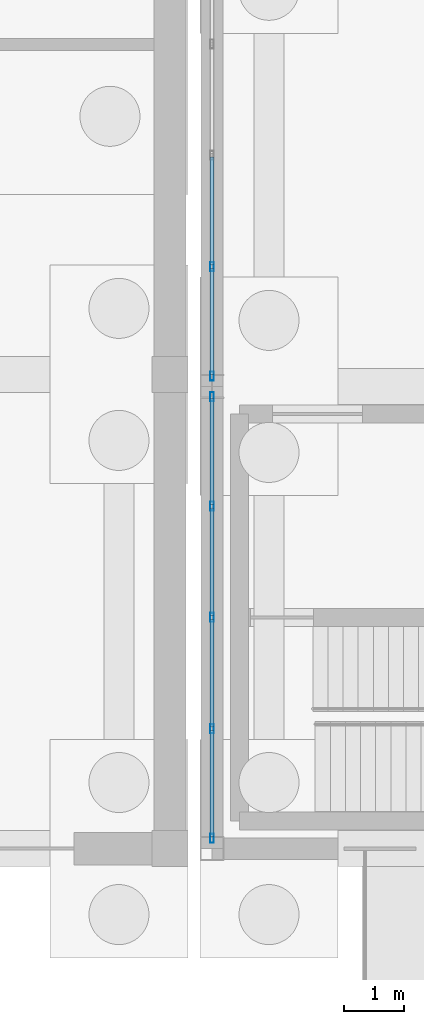
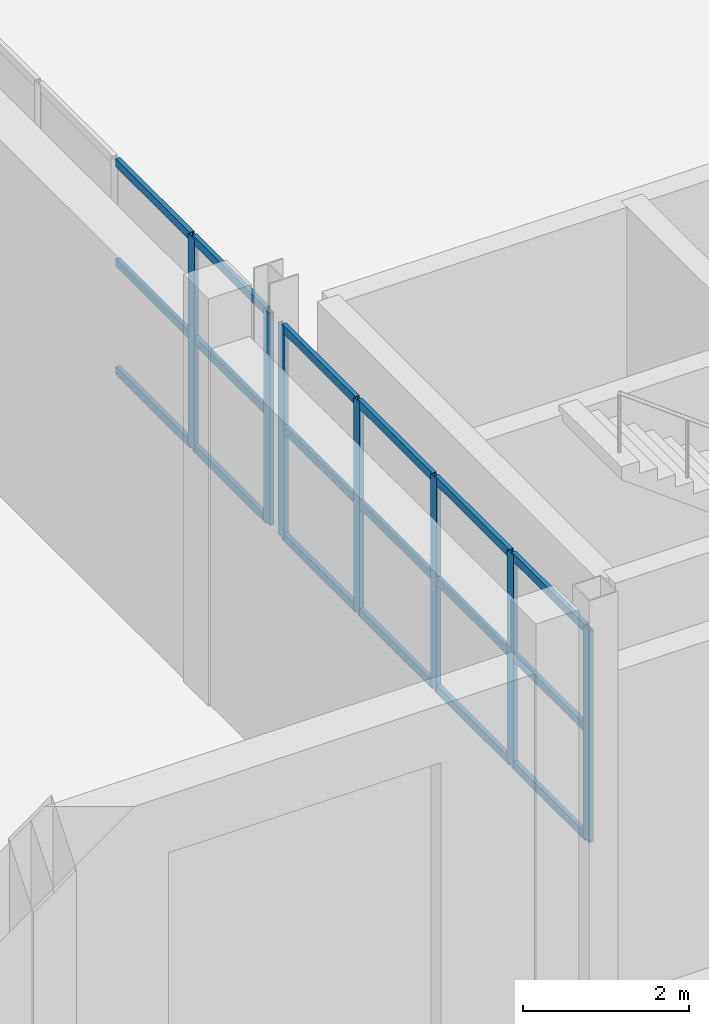
# One storey, part 73 of 139: 25 members, 2 elements without a shape of their own.
"""IFC4 building model written with IfcOpenShell, lengths in metres."""

from ifc_helpers import new_model, si_unit, direction, frame, origin, origin_2d, place, context, subcontext, project, spatial, hollow_rectangle, extrude, material, material_profile, profile_set, type_object, element, aggregate, save


model = new_model("IFC4")

# Units and contexts
model_context = context("Model", 3, precision=1e-05, world=origin(), true_north=direction((0.0, 1.0)))
body_context = subcontext(model_context, "Body", "Model", "MODEL_VIEW")
ifc_project = project(units=[si_unit("LENGTHUNIT", "METRE"), si_unit("AREAUNIT", "SQUARE_METRE"), si_unit("VOLUMEUNIT", "CUBIC_METRE"), si_unit("PLANEANGLEUNIT", "RADIAN"), si_unit("MASSUNIT", "GRAM", prefix="KILO")], contexts=[model_context])

# Site, building, storey
site_placement = place(None, origin())
site = spatial("IfcSite", under=ifc_project, at=site_placement, CompositionType="ELEMENT")
building_placement = place(site_placement, origin())
building = spatial("IfcBuilding", under=site, at=building_placement, Name="Kazenagashi Tramway Depot", CompositionType="ELEMENT")
storey_placement = place(building_placement, origin())
storey = spatial("IfcBuildingStorey", under=building, at=storey_placement, Name="L01", CompositionType="ELEMENT", Elevation=0.0)

# Curtain wall, members
ifc_material_1 = material(Name="Anodised Aluminium and Low-E Glazing", Category="aluminium")
curtain_wall_type = type_object("IfcCurtainWallType", Name="CW-30", PredefinedType="USERDEFINED", material=ifc_material_1)
curtain_wall_1_placement = place(storey_placement, origin())
curtain_wall_1 = element("IfcCurtainWall", 1, at=curtain_wall_1_placement, inside=storey, type_object=curtain_wall_type, Name="Industrial Glazed Screen CW-30 CW-0157", ObjectType="GLAZED SCREEN", PredefinedType="USERDEFINED")
ifc_material_2 = material(Name="Anodised Aluminium", Category="aluminium")
ifc_material_profile_1 = material_profile(ifc_material_2, hollow_rectangle(XDim=0.06, YDim=0.15, WallThickness=0.004, at=origin_2d()), Name="RHS-150x60x4")
ifc_profile_set_1 = profile_set([ifc_material_profile_1], Name="Anodised Aluminium")
member_type_1 = type_object("IfcMemberType", Name="ML-01", PredefinedType="MULLION", material=ifc_profile_set_1)
member_1_placement = place(storey_placement, frame((146.3, 0.17, 2.2), z_axis=(0.0, 0.0, 1.0), x_axis=(-1.0, 0.0, 0.0)))
member_1 = element("IfcMember", 2, at=member_1_placement, type_object=member_type_1, Name="CW-30 mullion 1", PredefinedType="MULLION", context=body_context, shape_type="SweptSolid", body=[
    extrude(hollow_rectangle(XDim=0.06, YDim=0.15, WallThickness=0.004, at=origin_2d()), origin(), (0.0, 0.0, 1.0), 3.12),
])
member_2_placement = place(storey_placement, frame((146.3, 1.995, 2.2), z_axis=(0.0, 0.0, 1.0), x_axis=(-1.0, 0.0, 0.0)))
member_2 = element("IfcMember", 3, at=member_2_placement, type_object=member_type_1, Name="CW-30 mullion 2", PredefinedType="MULLION", context=body_context, shape_type="SweptSolid", body=[
    extrude(hollow_rectangle(XDim=0.06, YDim=0.15, WallThickness=0.004, at=origin_2d()), origin(), (0.0, 0.0, 1.0), 3.12),
])
member_3_placement = place(storey_placement, frame((146.3, 3.85, 2.2), z_axis=(0.0, 0.0, 1.0), x_axis=(-1.0, 0.0, 0.0)))
member_3 = element("IfcMember", 4, at=member_3_placement, type_object=member_type_1, Name="CW-30 mullion 3", PredefinedType="MULLION", context=body_context, shape_type="SweptSolid", body=[
    extrude(hollow_rectangle(XDim=0.06, YDim=0.15, WallThickness=0.004, at=origin_2d()), origin(), (0.0, 0.0, 1.0), 3.12),
])
member_4_placement = place(storey_placement, frame((146.3, 5.705, 2.2), z_axis=(0.0, 0.0, 1.0), x_axis=(-1.0, 0.0, 0.0)))
member_4 = element("IfcMember", 5, at=member_4_placement, type_object=member_type_1, Name="CW-30 mullion 4", PredefinedType="MULLION", context=body_context, shape_type="SweptSolid", body=[
    extrude(hollow_rectangle(XDim=0.06, YDim=0.15, WallThickness=0.004, at=origin_2d()), origin(), (0.0, 0.0, 1.0), 3.12),
])
member_5_placement = place(storey_placement, frame((146.3, 7.53, 2.2), z_axis=(0.0, 0.0, 1.0), x_axis=(-1.0, 0.0, 0.0)))
member_5 = element("IfcMember", 6, at=member_5_placement, type_object=member_type_1, Name="CW-30 mullion 5", PredefinedType="MULLION", context=body_context, shape_type="SweptSolid", body=[
    extrude(hollow_rectangle(XDim=0.06, YDim=0.15, WallThickness=0.004, at=origin_2d()), origin(), (0.0, 0.0, 1.0), 3.12),
])

curtain_wall_2_placement = place(storey_placement, origin())
curtain_wall_2 = element("IfcCurtainWall", 7, at=curtain_wall_2_placement, inside=storey, type_object=curtain_wall_type, Name="Industrial Glazed Screen CW-30 CW-0159", ObjectType="GLAZED SCREEN", PredefinedType="USERDEFINED")
member_6_placement = place(storey_placement, frame((146.3, 7.87, 2.2), z_axis=(0.0, 0.0, 1.0), x_axis=(-1.0, 0.0, 0.0)))
member_6 = element("IfcMember", 8, at=member_6_placement, type_object=member_type_1, Name="CW-30 mullion 1", PredefinedType="MULLION", context=body_context, shape_type="SweptSolid", body=[
    extrude(hollow_rectangle(XDim=0.06, YDim=0.15, WallThickness=0.004, at=origin_2d()), origin(), (0.0, 0.0, 1.0), 3.12),
])
member_7_placement = place(storey_placement, frame((146.3, 9.695, 2.2), z_axis=(0.0, 0.0, 1.0), x_axis=(-1.0, 0.0, 0.0)))
member_7 = element("IfcMember", 9, at=member_7_placement, type_object=member_type_1, Name="CW-30 mullion 2", PredefinedType="MULLION", context=body_context, shape_type="SweptSolid", body=[
    extrude(hollow_rectangle(XDim=0.06, YDim=0.15, WallThickness=0.004, at=origin_2d()), origin(), (0.0, 0.0, 1.0), 3.12),
])

# Member
ifc_material_profile_2 = material_profile(ifc_material_2, hollow_rectangle(XDim=0.06, YDim=0.12, WallThickness=0.004, at=origin_2d()), Name="RHS-120x60x4")
ifc_profile_set_2 = profile_set([ifc_material_profile_2], Name="Anodised Aluminium")
member_type_2 = type_object("IfcMemberType", Name="TR-01", PredefinedType="USERDEFINED", material=ifc_profile_set_2)
member_8_placement = place(storey_placement, frame((146.3, 0.2, 2.23), z_axis=(0.0, 1.0, 0.0), x_axis=(-1.0, 0.0, 0.0)))
member_8 = element("IfcMember", 10, at=member_8_placement, type_object=member_type_2, Name="CW-30 transom 1.1", ObjectType="TRANSOM", PredefinedType="USERDEFINED", context=body_context, shape_type="SweptSolid", body=[
    extrude(hollow_rectangle(XDim=0.06, YDim=0.12, WallThickness=0.004, at=origin_2d()), origin(), (0.0, 0.0, 1.0), 1.765),
])

member_9_placement = place(storey_placement, frame((146.3, 0.2, 3.822), z_axis=(0.0, 1.0, 0.0), x_axis=(-1.0, 0.0, 0.0)))
member_9 = element("IfcMember", 11, at=member_9_placement, type_object=member_type_2, Name="CW-30 transom 1.2", ObjectType="TRANSOM", PredefinedType="USERDEFINED", context=body_context, shape_type="SweptSolid", body=[
    extrude(hollow_rectangle(XDim=0.06, YDim=0.12, WallThickness=0.004, at=origin_2d()), origin(), (0.0, 0.0, 1.0), 1.765),
])

member_10_placement = place(storey_placement, frame((146.3, 0.2, 5.29), z_axis=(0.0, 1.0, 0.0), x_axis=(-1.0, 0.0, 0.0)))
member_10 = element("IfcMember", 12, at=member_10_placement, type_object=member_type_2, Name="CW-30 transom 1.3", ObjectType="TRANSOM", PredefinedType="USERDEFINED", context=body_context, shape_type="SweptSolid", body=[
    extrude(hollow_rectangle(XDim=0.06, YDim=0.12, WallThickness=0.004, at=origin_2d()), origin(), (0.0, 0.0, 1.0), 1.765),
])

member_11_placement = place(storey_placement, frame((146.3, 2.025, 2.23), z_axis=(0.0, 1.0, 0.0), x_axis=(-1.0, 0.0, 0.0)))
member_11 = element("IfcMember", 13, at=member_11_placement, type_object=member_type_2, Name="CW-30 transom 2.1", ObjectType="TRANSOM", PredefinedType="USERDEFINED", context=body_context, shape_type="SweptSolid", body=[
    extrude(hollow_rectangle(XDim=0.06, YDim=0.12, WallThickness=0.004, at=origin_2d()), origin(), (0.0, 0.0, 1.0), 1.795),
])

member_12_placement = place(storey_placement, frame((146.3, 2.025, 3.822), z_axis=(0.0, 1.0, 0.0), x_axis=(-1.0, 0.0, 0.0)))
member_12 = element("IfcMember", 14, at=member_12_placement, type_object=member_type_2, Name="CW-30 transom 2.2", ObjectType="TRANSOM", PredefinedType="USERDEFINED", context=body_context, shape_type="SweptSolid", body=[
    extrude(hollow_rectangle(XDim=0.06, YDim=0.12, WallThickness=0.004, at=origin_2d()), origin(), (0.0, 0.0, 1.0), 1.795),
])

member_13_placement = place(storey_placement, frame((146.3, 2.025, 5.29), z_axis=(0.0, 1.0, 0.0), x_axis=(-1.0, 0.0, 0.0)))
member_13 = element("IfcMember", 15, at=member_13_placement, type_object=member_type_2, Name="CW-30 transom 2.3", ObjectType="TRANSOM", PredefinedType="USERDEFINED", context=body_context, shape_type="SweptSolid", body=[
    extrude(hollow_rectangle(XDim=0.06, YDim=0.12, WallThickness=0.004, at=origin_2d()), origin(), (0.0, 0.0, 1.0), 1.795),
])

member_14_placement = place(storey_placement, frame((146.3, 3.88, 2.23), z_axis=(0.0, 1.0, 0.0), x_axis=(-1.0, 0.0, 0.0)))
member_14 = element("IfcMember", 16, at=member_14_placement, type_object=member_type_2, Name="CW-30 transom 3.1", ObjectType="TRANSOM", PredefinedType="USERDEFINED", context=body_context, shape_type="SweptSolid", body=[
    extrude(hollow_rectangle(XDim=0.06, YDim=0.12, WallThickness=0.004, at=origin_2d()), origin(), (0.0, 0.0, 1.0), 1.795),
])

member_15_placement = place(storey_placement, frame((146.3, 3.88, 3.822), z_axis=(0.0, 1.0, 0.0), x_axis=(-1.0, 0.0, 0.0)))
member_15 = element("IfcMember", 17, at=member_15_placement, type_object=member_type_2, Name="CW-30 transom 3.2", ObjectType="TRANSOM", PredefinedType="USERDEFINED", context=body_context, shape_type="SweptSolid", body=[
    extrude(hollow_rectangle(XDim=0.06, YDim=0.12, WallThickness=0.004, at=origin_2d()), origin(), (0.0, 0.0, 1.0), 1.795),
])

member_16_placement = place(storey_placement, frame((146.3, 3.88, 5.29), z_axis=(0.0, 1.0, 0.0), x_axis=(-1.0, 0.0, 0.0)))
member_16 = element("IfcMember", 18, at=member_16_placement, type_object=member_type_2, Name="CW-30 transom 3.3", ObjectType="TRANSOM", PredefinedType="USERDEFINED", context=body_context, shape_type="SweptSolid", body=[
    extrude(hollow_rectangle(XDim=0.06, YDim=0.12, WallThickness=0.004, at=origin_2d()), origin(), (0.0, 0.0, 1.0), 1.795),
])

member_17_placement = place(storey_placement, frame((146.3, 5.735, 2.23), z_axis=(0.0, 1.0, 0.0), x_axis=(-1.0, 0.0, 0.0)))
member_17 = element("IfcMember", 19, at=member_17_placement, type_object=member_type_2, Name="CW-30 transom 4.1", ObjectType="TRANSOM", PredefinedType="USERDEFINED", context=body_context, shape_type="SweptSolid", body=[
    extrude(hollow_rectangle(XDim=0.06, YDim=0.12, WallThickness=0.004, at=origin_2d()), origin(), (0.0, 0.0, 1.0), 1.765),
])

member_18_placement = place(storey_placement, frame((146.3, 5.735, 3.822), z_axis=(0.0, 1.0, 0.0), x_axis=(-1.0, 0.0, 0.0)))
member_18 = element("IfcMember", 20, at=member_18_placement, type_object=member_type_2, Name="CW-30 transom 4.2", ObjectType="TRANSOM", PredefinedType="USERDEFINED", context=body_context, shape_type="SweptSolid", body=[
    extrude(hollow_rectangle(XDim=0.06, YDim=0.12, WallThickness=0.004, at=origin_2d()), origin(), (0.0, 0.0, 1.0), 1.765),
])

member_19_placement = place(storey_placement, frame((146.3, 5.735, 5.29), z_axis=(0.0, 1.0, 0.0), x_axis=(-1.0, 0.0, 0.0)))
member_19 = element("IfcMember", 21, at=member_19_placement, type_object=member_type_2, Name="CW-30 transom 4.3", ObjectType="TRANSOM", PredefinedType="USERDEFINED", context=body_context, shape_type="SweptSolid", body=[
    extrude(hollow_rectangle(XDim=0.06, YDim=0.12, WallThickness=0.004, at=origin_2d()), origin(), (0.0, 0.0, 1.0), 1.765),
])

aggregate(curtain_wall_1, [member_1, member_2, member_3, member_4, member_5, member_8, member_9, member_10, member_11, member_12, member_13, member_14, member_15, member_16, member_17, member_18, member_19])

member_20_placement = place(storey_placement, frame((146.3, 7.9, 2.23), z_axis=(0.0, 1.0, 0.0), x_axis=(-1.0, 0.0, 0.0)))
member_20 = element("IfcMember", 22, at=member_20_placement, type_object=member_type_2, Name="CW-30 transom 1.1", ObjectType="TRANSOM", PredefinedType="USERDEFINED", context=body_context, shape_type="SweptSolid", body=[
    extrude(hollow_rectangle(XDim=0.06, YDim=0.12, WallThickness=0.004, at=origin_2d()), origin(), (0.0, 0.0, 1.0), 1.765),
])

member_21_placement = place(storey_placement, frame((146.3, 7.9, 3.822), z_axis=(0.0, 1.0, 0.0), x_axis=(-1.0, 0.0, 0.0)))
member_21 = element("IfcMember", 23, at=member_21_placement, type_object=member_type_2, Name="CW-30 transom 1.2", ObjectType="TRANSOM", PredefinedType="USERDEFINED", context=body_context, shape_type="SweptSolid", body=[
    extrude(hollow_rectangle(XDim=0.06, YDim=0.12, WallThickness=0.004, at=origin_2d()), origin(), (0.0, 0.0, 1.0), 1.765),
])

member_22_placement = place(storey_placement, frame((146.3, 7.9, 5.29), z_axis=(0.0, 1.0, 0.0), x_axis=(-1.0, 0.0, 0.0)))
member_22 = element("IfcMember", 24, at=member_22_placement, type_object=member_type_2, Name="CW-30 transom 1.3", ObjectType="TRANSOM", PredefinedType="USERDEFINED", context=body_context, shape_type="SweptSolid", body=[
    extrude(hollow_rectangle(XDim=0.06, YDim=0.12, WallThickness=0.004, at=origin_2d()), origin(), (0.0, 0.0, 1.0), 1.765),
])

member_23_placement = place(storey_placement, frame((146.3, 9.725, 2.23), z_axis=(0.0, 1.0, 0.0), x_axis=(-1.0, 0.0, 0.0)))
member_23 = element("IfcMember", 25, at=member_23_placement, type_object=member_type_2, Name="CW-30 transom 2.1", ObjectType="TRANSOM", PredefinedType="USERDEFINED", context=body_context, shape_type="SweptSolid", body=[
    extrude(hollow_rectangle(XDim=0.06, YDim=0.12, WallThickness=0.004, at=origin_2d()), origin(), (0.0, 0.0, 1.0), 1.795),
])

member_24_placement = place(storey_placement, frame((146.3, 9.725, 3.822), z_axis=(0.0, 1.0, 0.0), x_axis=(-1.0, 0.0, 0.0)))
member_24 = element("IfcMember", 26, at=member_24_placement, type_object=member_type_2, Name="CW-30 transom 2.2", ObjectType="TRANSOM", PredefinedType="USERDEFINED", context=body_context, shape_type="SweptSolid", body=[
    extrude(hollow_rectangle(XDim=0.06, YDim=0.12, WallThickness=0.004, at=origin_2d()), origin(), (0.0, 0.0, 1.0), 1.795),
])

member_25_placement = place(storey_placement, frame((146.3, 9.725, 5.29), z_axis=(0.0, 1.0, 0.0), x_axis=(-1.0, 0.0, 0.0)))
member_25 = element("IfcMember", 27, at=member_25_placement, type_object=member_type_2, Name="CW-30 transom 2.3", ObjectType="TRANSOM", PredefinedType="USERDEFINED", context=body_context, shape_type="SweptSolid", body=[
    extrude(hollow_rectangle(XDim=0.06, YDim=0.12, WallThickness=0.004, at=origin_2d()), origin(), (0.0, 0.0, 1.0), 1.795),
])

aggregate(curtain_wall_2, [member_6, member_7, member_20, member_21, member_22, member_23, member_24, member_25])

save(model, "model.ifc")
